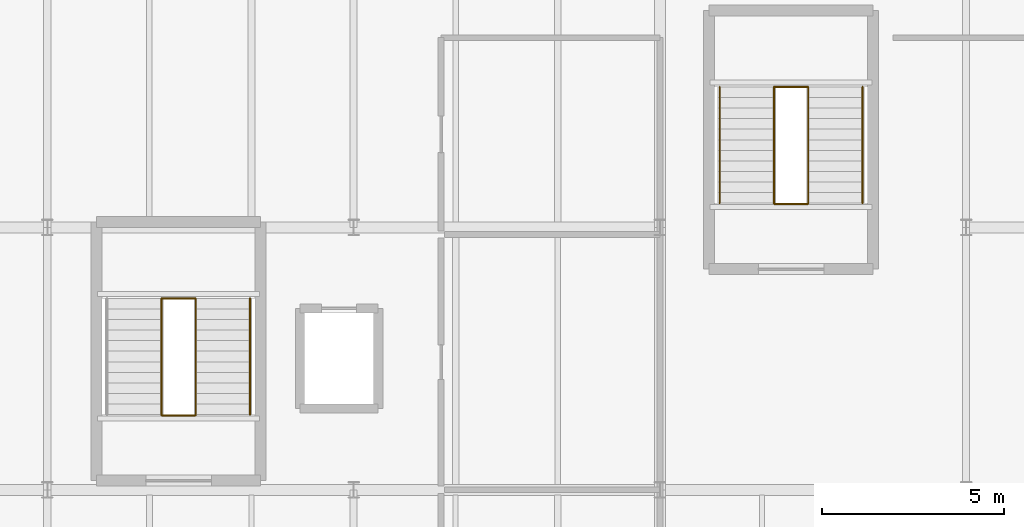
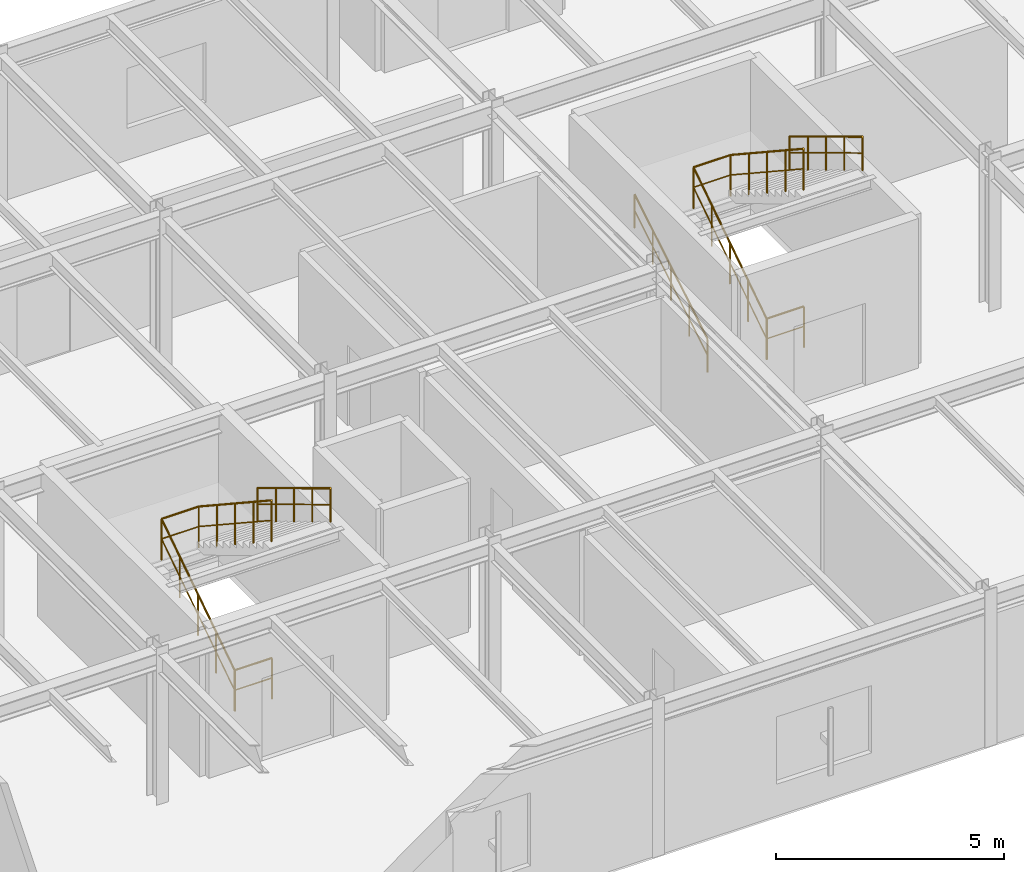
# One storey, part 95 of 109: 11 railings.
"""IFC4 building model written with IfcOpenShell, lengths in metres."""

from ifc_helpers import new_model, si_unit, derived_unit, direction, frame, origin, origin_2d, place, context, subcontext, project, spatial, circle, extrude, material, type_object, element, save


model = new_model("IFC4")

# Units and contexts
model_context = context("Model", 3, precision=1e-05, world=origin(), true_north=direction((0.0, 1.0)))
body_context = subcontext(model_context, "Body", "Model", "MODEL_VIEW")
ifc_project = project(units=[si_unit("LENGTHUNIT", "METRE"), si_unit("AREAUNIT", "SQUARE_METRE"), si_unit("VOLUMEUNIT", "CUBIC_METRE"), si_unit("PLANEANGLEUNIT", "RADIAN"), si_unit("MASSUNIT", "GRAM", prefix="KILO"), derived_unit("THERMALTRANSMITTANCEUNIT", [(si_unit("MASSUNIT", "GRAM", prefix="KILO"), 1), (si_unit("TIMEUNIT", "SECOND"), -3), (si_unit("THERMODYNAMICTEMPERATUREUNIT", "KELVIN"), -1)])], contexts=[model_context])

# Site, building, storey
site_placement = place(None, origin())
site = spatial("IfcSite", under=ifc_project, at=site_placement, CompositionType="ELEMENT")
building_placement = place(site_placement, origin())
building = spatial("IfcBuilding", under=site, at=building_placement, Name="Kharveza Railside Sports Centre", CompositionType="ELEMENT")
storey_placement = place(building_placement, frame((0.0, 0.0, 4.5)))
storey = spatial("IfcBuildingStorey", under=building, at=storey_placement, Name="L01", CompositionType="ELEMENT", Elevation=4.5)

# Railings
ifc_material = material(Name="Steel S275JR", Category="steel")
railing_type_1 = type_object("IfcRailingType", Name="RL-GD110", PredefinedType="GUARDRAIL", material=ifc_material)
railing_1_placement = place(storey_placement, frame((129.1298828125, 16.43994140625, 0.0)))
element("IfcRailing", 1, at=railing_1_placement, inside=storey, type_object=railing_type_1, Name="RL-STSLOT-ST3-L01", PredefinedType="GUARDRAIL", context=body_context, shape_type="SweptSolid", body=[
    extrude(circle(Radius=0.02392578125, at=origin_2d()), frame((0.0, 0.0, 1.09619140625), z_axis=(1.0, 0.0, 0.0), x_axis=(0.0, 1.0, 0.0)), (0.0, 0.0, 1.0), 0.940185546875),
    extrude(circle(Radius=0.01611328125, at=origin_2d()), frame((0.0, 0.0, 0.56005859375), z_axis=(1.0, 0.0, 0.0), x_axis=(0.0, 1.0, 0.0)), (0.0, 0.0, 1.0), 0.940185546875),
    extrude(circle(Radius=0.02099609375, at=origin_2d()), origin(), (0.0, 0.0, 1.0), 1.072021484375),
    extrude(circle(Radius=0.02099609375, at=origin_2d()), frame((0.940185546875, 0.0, 0.0)), (0.0, 0.0, 1.0), 1.072021484375),
])
railing_2_placement = place(storey_placement, frame((129.1298828125, 16.4599609375, 0.0)))
element("IfcRailing", 2, at=railing_2_placement, inside=storey, type_object=railing_type_1, Name="STR-ST3-L01-GD1", PredefinedType="GUARDRAIL", context=body_context, shape_type="SweptSolid", body=[
    extrude(circle(Radius=0.02392578125, at=origin_2d()), frame((0.0, 0.0, 1.09619140625), z_axis=(0.0, 0.835242474824, 0.549881812983), x_axis=(-1.0, 0.0, 0.0)), (0.0, 0.0, 1.0), 3.819091796875),
    extrude(circle(Radius=0.01611328125, at=origin_2d()), frame((0.0, 0.0, 0.56005859375), z_axis=(0.0, 0.835242474824, 0.549881812983), x_axis=(-1.0, 0.0, 0.0)), (0.0, 0.0, 1.0), 3.819091796875),
    extrude(circle(Radius=0.02099609375, at=origin_2d()), origin(), (0.0, 0.0, 1.0), 1.072021484375),
    extrude(circle(Radius=0.02099609375, at=origin_2d()), frame((0.0, 0.79736328125, 0.52490234375)), (0.0, 0.0, 1.0), 1.072021484375),
    extrude(circle(Radius=0.02099609375, at=origin_2d()), frame((0.0, 1.594970703125, 1.050048828125)), (0.0, 0.0, 1.0), 1.072021484375),
    extrude(circle(Radius=0.02099609375, at=origin_2d()), frame((0.0, 2.392578125, 1.5751953125)), (0.0, 0.0, 1.0), 1.072021484375),
    extrude(circle(Radius=0.02099609375, at=origin_2d()), frame((0.0, 3.18994140625, 2.10009765625)), (0.0, 0.0, 1.0), 1.072021484375),
])
railing_3_placement = place(storey_placement, frame((130.070068359375, 19.64990234375, 2.10009765625)))
element("IfcRailing", 3, at=railing_3_placement, inside=storey, type_object=railing_type_1, Name="STR-ST3-L01-GD2", PredefinedType="GUARDRAIL", context=body_context, shape_type="SweptSolid", body=[
    extrude(circle(Radius=0.02392578125, at=origin_2d()), frame((0.0, 0.0, 1.09619140625), z_axis=(0.0, -0.835271834381, 0.549837214719), x_axis=(1.0, 0.0, 0.0)), (0.0, 0.0, 1.0), 3.819091796875),
    extrude(circle(Radius=0.01611328125, at=origin_2d()), frame((0.0, 0.0, 0.56005859375), z_axis=(0.0, -0.835271834381, 0.549837214719), x_axis=(1.0, 0.0, 0.0)), (0.0, 0.0, 1.0), 3.819091796875),
    extrude(circle(Radius=0.02099609375, at=origin_2d()), origin(), (0.0, 0.0, 1.0), 1.072021484375),
    extrude(circle(Radius=0.02099609375, at=origin_2d()), frame((0.0, -0.79736328125, 0.52490234375)), (0.0, 0.0, 1.0), 1.072021484375),
    extrude(circle(Radius=0.02099609375, at=origin_2d()), frame((0.0, -1.594970703125, 1.0498046875)), (0.0, 0.0, 1.0), 1.072021484375),
    extrude(circle(Radius=0.02099609375, at=origin_2d()), frame((0.0, -2.392578125, 1.574951171875)), (0.0, 0.0, 1.0), 1.072021484375),
    extrude(circle(Radius=0.02099609375, at=origin_2d()), frame((0.0, -3.18994140625, 2.099853515625)), (0.0, 0.0, 1.0), 1.072021484375),
])
for number, where, name in (
    (4, (129.1298828125, 19.64990234375, 2.10009765625), "STR-ST3-L01-GDH"),
    (5, (145.929931640625, 22.239990234375, 0.0), "RL-STSLOT-ST5-L01"),
):
    element("IfcRailing", number, at=place(storey_placement, frame(where)), inside=storey, type_object=railing_type_1, Name=name, PredefinedType="GUARDRAIL", context=body_context, shape_type="SweptSolid", body=[
        extrude(circle(Radius=0.02392578125, at=origin_2d()), frame((0.0, 0.0, 1.09619140625), z_axis=(1.0, 0.0, 0.0), x_axis=(0.0, 1.0, 0.0)), (0.0, 0.0, 1.0), 0.940185546875),
        extrude(circle(Radius=0.01611328125, at=origin_2d()), frame((0.0, 0.0, 0.56005859375), z_axis=(1.0, 0.0, 0.0), x_axis=(0.0, 1.0, 0.0)), (0.0, 0.0, 1.0), 0.940185546875),
        extrude(circle(Radius=0.02099609375, at=origin_2d()), origin(), (0.0, 0.0, 1.0), 1.072021484375),
        extrude(circle(Radius=0.02099609375, at=origin_2d()), frame((0.940185546875, 0.0, 0.0)), (0.0, 0.0, 1.0), 1.072021484375),
    ])
railing_4_placement = place(storey_placement, frame((145.929931640625, 22.260009765625, 0.0)))
element("IfcRailing", 6, at=railing_4_placement, inside=storey, type_object=railing_type_1, Name="STR-ST5-L01-GD1", PredefinedType="GUARDRAIL", context=body_context, shape_type="SweptSolid", body=[
    extrude(circle(Radius=0.02392578125, at=origin_2d()), frame((0.0, 0.0, 1.09619140625), z_axis=(0.0, 0.835242474824, 0.549881812983), x_axis=(-1.0, 0.0, 0.0)), (0.0, 0.0, 1.0), 3.819091796875),
    extrude(circle(Radius=0.01611328125, at=origin_2d()), frame((0.0, 0.0, 0.56005859375), z_axis=(0.0, 0.835242474824, 0.549881812983), x_axis=(-1.0, 0.0, 0.0)), (0.0, 0.0, 1.0), 3.819091796875),
    extrude(circle(Radius=0.02099609375, at=origin_2d()), origin(), (0.0, 0.0, 1.0), 1.072021484375),
    extrude(circle(Radius=0.02099609375, at=origin_2d()), frame((0.0, 0.79736328125, 0.52490234375)), (0.0, 0.0, 1.0), 1.072021484375),
    extrude(circle(Radius=0.02099609375, at=origin_2d()), frame((0.0, 1.594970703125, 1.050048828125)), (0.0, 0.0, 1.0), 1.072021484375),
    extrude(circle(Radius=0.02099609375, at=origin_2d()), frame((0.0, 2.392578125, 1.5751953125)), (0.0, 0.0, 1.0), 1.072021484375),
    extrude(circle(Radius=0.02099609375, at=origin_2d()), frame((0.0, 3.18994140625, 2.10009765625)), (0.0, 0.0, 1.0), 1.072021484375),
])
railing_5_placement = place(storey_placement, frame((146.8701171875, 25.449951171875, 2.10009765625)))
element("IfcRailing", 7, at=railing_5_placement, inside=storey, type_object=railing_type_1, Name="STR-ST5-L01-GD2", PredefinedType="GUARDRAIL", context=body_context, shape_type="SweptSolid", body=[
    extrude(circle(Radius=0.02392578125, at=origin_2d()), frame((0.0, 0.0, 1.09619140625), z_axis=(0.0, -0.835271834381, 0.549837214719), x_axis=(1.0, 0.0, 0.0)), (0.0, 0.0, 1.0), 3.819091796875),
    extrude(circle(Radius=0.01611328125, at=origin_2d()), frame((0.0, 0.0, 0.56005859375), z_axis=(0.0, -0.835271834381, 0.549837214719), x_axis=(1.0, 0.0, 0.0)), (0.0, 0.0, 1.0), 3.819091796875),
    extrude(circle(Radius=0.02099609375, at=origin_2d()), origin(), (0.0, 0.0, 1.0), 1.072021484375),
    extrude(circle(Radius=0.02099609375, at=origin_2d()), frame((0.0, -0.79736328125, 0.52490234375)), (0.0, 0.0, 1.0), 1.072021484375),
    extrude(circle(Radius=0.02099609375, at=origin_2d()), frame((0.0, -1.594970703125, 1.0498046875)), (0.0, 0.0, 1.0), 1.072021484375),
    extrude(circle(Radius=0.02099609375, at=origin_2d()), frame((0.0, -2.392578125, 1.574951171875)), (0.0, 0.0, 1.0), 1.072021484375),
    extrude(circle(Radius=0.02099609375, at=origin_2d()), frame((0.0, -3.18994140625, 2.099853515625)), (0.0, 0.0, 1.0), 1.072021484375),
])
railing_6_placement = place(storey_placement, frame((145.929931640625, 25.449951171875, 2.10009765625)))
element("IfcRailing", 8, at=railing_6_placement, inside=storey, type_object=railing_type_1, Name="STR-ST5-L01-GDH", PredefinedType="GUARDRAIL", context=body_context, shape_type="SweptSolid", body=[
    extrude(circle(Radius=0.02392578125, at=origin_2d()), frame((0.0, 0.0, 1.09619140625), z_axis=(1.0, 0.0, 0.0), x_axis=(0.0, 1.0, 0.0)), (0.0, 0.0, 1.0), 0.940185546875),
    extrude(circle(Radius=0.01611328125, at=origin_2d()), frame((0.0, 0.0, 0.56005859375), z_axis=(1.0, 0.0, 0.0), x_axis=(0.0, 1.0, 0.0)), (0.0, 0.0, 1.0), 0.940185546875),
    extrude(circle(Radius=0.02099609375, at=origin_2d()), origin(), (0.0, 0.0, 1.0), 1.072021484375),
    extrude(circle(Radius=0.02099609375, at=origin_2d()), frame((0.940185546875, 0.0, 0.0)), (0.0, 0.0, 1.0), 1.072021484375),
])
railing_type_2 = type_object("IfcRailingType", Name="RL-HR092", PredefinedType="HANDRAIL", material=ifc_material)
railing_7_placement = place(storey_placement, frame((131.56005859375, 19.64990234375, 2.27490234375)))
element("IfcRailing", 9, at=railing_7_placement, inside=storey, type_object=railing_type_2, Name="STR-ST3-L01-HR2", PredefinedType="HANDRAIL", context=body_context, shape_type="SweptSolid", body=[
    extrude(circle(Radius=0.02392578125, at=origin_2d()), frame((0.0, 0.0, 0.89599609375), z_axis=(0.0, -0.856177665481, 0.516681531633), x_axis=(1.0, 0.0, 0.0)), (0.0, 0.0, 1.0), 3.725830078125),
    extrude(circle(Radius=0.01611328125, at=origin_2d()), frame((0.0, 0.0, 0.4599609375), z_axis=(0.0, -0.856177665481, 0.516681531633), x_axis=(1.0, 0.0, 0.0)), (0.0, 0.0, 1.0), 3.725830078125),
    extrude(circle(Radius=0.02099609375, at=origin_2d()), origin(), (0.0, 0.0, 1.0), 0.871826171875),
    extrude(circle(Radius=0.02099609375, at=origin_2d()), frame((0.0, -0.79736328125, 0.481201171875)), (0.0, 0.0, 1.0), 0.871826171875),
    extrude(circle(Radius=0.02099609375, at=origin_2d()), frame((0.0, -1.594970703125, 0.96240234375)), (0.0, 0.0, 1.0), 0.871826171875),
    extrude(circle(Radius=0.02099609375, at=origin_2d()), frame((0.0, -2.392578125, 1.44384765625)), (0.0, 0.0, 1.0), 0.871826171875),
    extrude(circle(Radius=0.02099609375, at=origin_2d()), frame((0.0, -3.18994140625, 1.925048828125)), (0.0, 0.0, 1.0), 0.871826171875),
])
railing_8_placement = place(storey_placement, frame((144.43994140625, 22.260009765625, 0.175048828125)))
element("IfcRailing", 10, at=railing_8_placement, inside=storey, type_object=railing_type_2, Name="STR-ST5-L01-HR1", PredefinedType="HANDRAIL", context=body_context, shape_type="SweptSolid", body=[
    extrude(circle(Radius=0.02392578125, at=origin_2d()), frame((0.0, 0.0, 0.89599609375), z_axis=(0.0, 0.856177665481, 0.516681531633), x_axis=(-1.0, 0.0, 0.0)), (0.0, 0.0, 1.0), 3.725830078125),
    extrude(circle(Radius=0.01611328125, at=origin_2d()), frame((0.0, 0.0, 0.4599609375), z_axis=(0.0, 0.856177665481, 0.516681531633), x_axis=(-1.0, 0.0, 0.0)), (0.0, 0.0, 1.0), 3.725830078125),
    extrude(circle(Radius=0.02099609375, at=origin_2d()), origin(), (0.0, 0.0, 1.0), 0.871826171875),
    extrude(circle(Radius=0.02099609375, at=origin_2d()), frame((0.0, 0.79736328125, 0.481201171875)), (0.0, 0.0, 1.0), 0.871826171875),
    extrude(circle(Radius=0.02099609375, at=origin_2d()), frame((0.0, 1.594970703125, 0.96240234375)), (0.0, 0.0, 1.0), 0.871826171875),
    extrude(circle(Radius=0.02099609375, at=origin_2d()), frame((0.0, 2.392578125, 1.44384765625)), (0.0, 0.0, 1.0), 0.871826171875),
    extrude(circle(Radius=0.02099609375, at=origin_2d()), frame((0.0, 3.18994140625, 1.925048828125)), (0.0, 0.0, 1.0), 0.871826171875),
])
railing_9_placement = place(storey_placement, frame((148.360107421875, 25.449951171875, 2.27490234375)))
element("IfcRailing", 11, at=railing_9_placement, inside=storey, type_object=railing_type_2, Name="STR-ST5-L01-HR2", PredefinedType="HANDRAIL", context=body_context, shape_type="SweptSolid", body=[
    extrude(circle(Radius=0.02392578125, at=origin_2d()), frame((0.0, 0.0, 0.89599609375), z_axis=(0.0, -0.856177665481, 0.516681531633), x_axis=(1.0, 0.0, 0.0)), (0.0, 0.0, 1.0), 3.725830078125),
    extrude(circle(Radius=0.01611328125, at=origin_2d()), frame((0.0, 0.0, 0.4599609375), z_axis=(0.0, -0.856177665481, 0.516681531633), x_axis=(1.0, 0.0, 0.0)), (0.0, 0.0, 1.0), 3.725830078125),
    extrude(circle(Radius=0.02099609375, at=origin_2d()), origin(), (0.0, 0.0, 1.0), 0.871826171875),
    extrude(circle(Radius=0.02099609375, at=origin_2d()), frame((0.0, -0.79736328125, 0.481201171875)), (0.0, 0.0, 1.0), 0.871826171875),
    extrude(circle(Radius=0.02099609375, at=origin_2d()), frame((0.0, -1.594970703125, 0.96240234375)), (0.0, 0.0, 1.0), 0.871826171875),
    extrude(circle(Radius=0.02099609375, at=origin_2d()), frame((0.0, -2.392578125, 1.44384765625)), (0.0, 0.0, 1.0), 0.871826171875),
    extrude(circle(Radius=0.02099609375, at=origin_2d()), frame((0.0, -3.18994140625, 1.925048828125)), (0.0, 0.0, 1.0), 0.871826171875),
])

save(model, "model.ifc")
